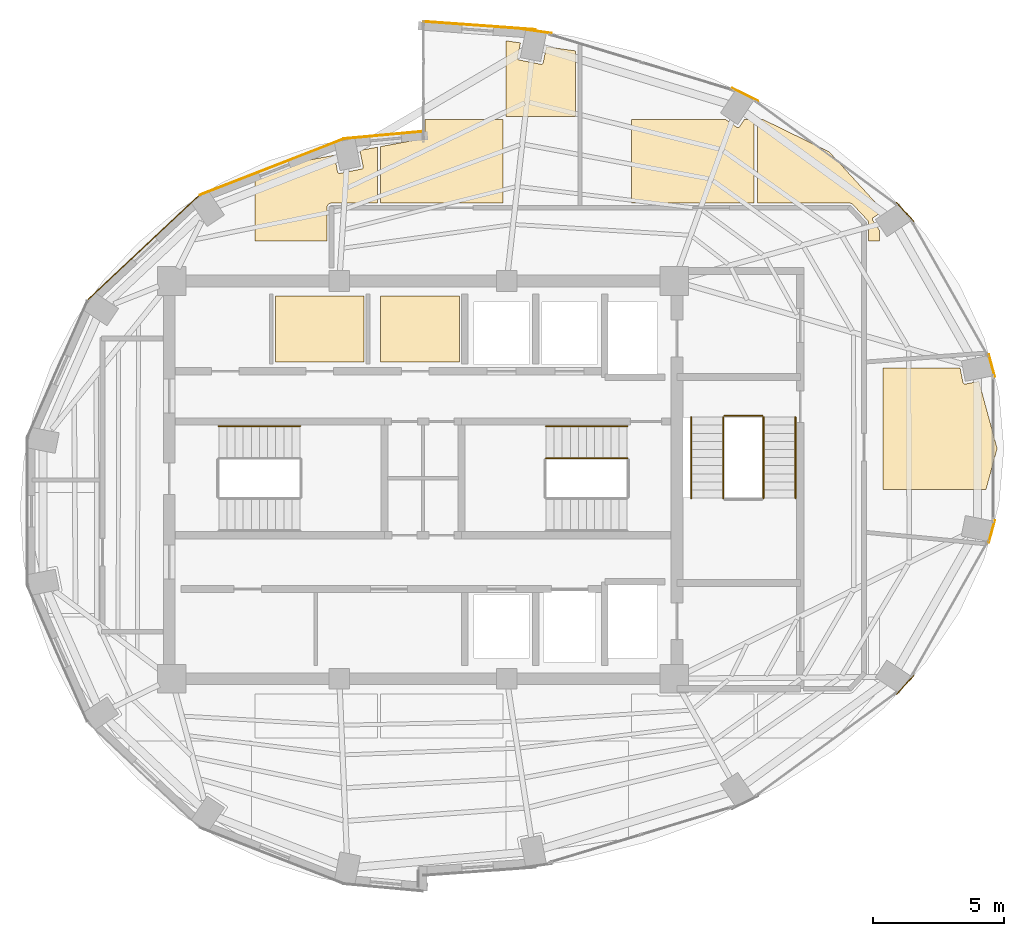
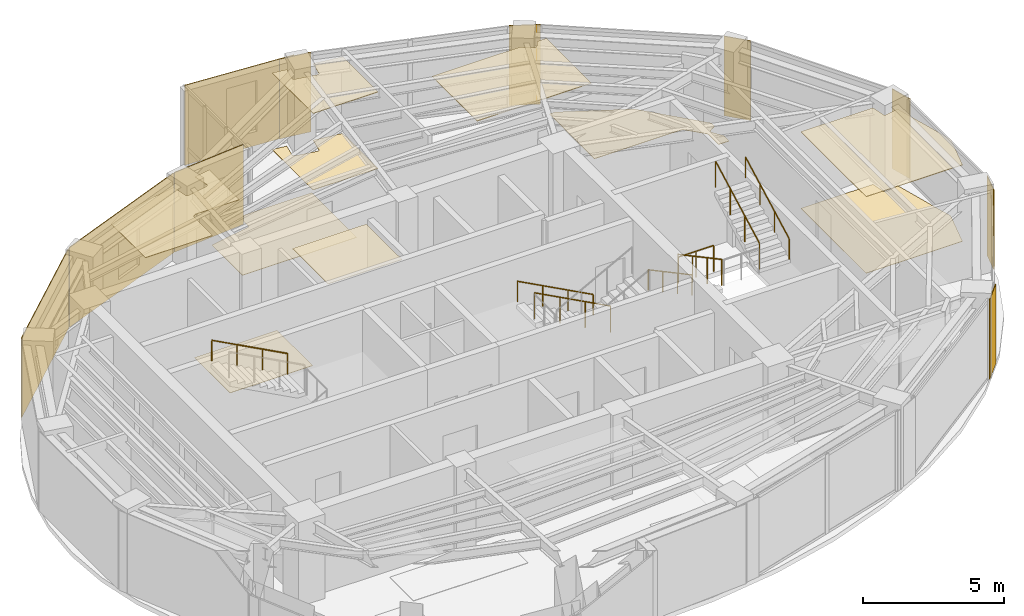
# One storey, part 15 of 15: 20 coverings, 8 railings.
"""IFC4 building model written with IfcOpenShell, lengths in metres."""

from ifc_helpers import new_model, si_unit, direction, frame, origin, origin_2d, place, context, subcontext, project, spatial, polyline, rectangle, circle, outline, extrude, material, layer, layer_set, type_object, element, save


model = new_model("IFC4")

# Units and contexts
model_context = context("Model", 3, precision=1e-05, world=origin(), true_north=direction((0.0, 1.0)))
body_context = subcontext(model_context, "Body", "Model", "MODEL_VIEW")
ifc_project = project(units=[si_unit("LENGTHUNIT", "METRE"), si_unit("AREAUNIT", "SQUARE_METRE"), si_unit("VOLUMEUNIT", "CUBIC_METRE"), si_unit("PLANEANGLEUNIT", "RADIAN"), si_unit("MASSUNIT", "GRAM", prefix="KILO")], contexts=[model_context])

# Site, building, storey
site_placement = place(None, origin())
site = spatial("IfcSite", under=ifc_project, at=site_placement, CompositionType="ELEMENT")
building_placement = place(site_placement, origin())
building = spatial("IfcBuilding", under=site, at=building_placement, Name="Lazwardi Medical Tower", CompositionType="ELEMENT")
storey_placement = place(building_placement, frame((0.0, 0.0, 284.2080078125)))
storey = spatial("IfcBuildingStorey", under=building, at=storey_placement, Name="L74", CompositionType="ELEMENT", Elevation=284.2080078125)

# Coverings
ifc_material_1 = material(Name="Anodised bronze aluminium cassette cladding", Category="aluminium")
ifc_layer_1 = layer(ifc_material_1, 0.030029296875)
ifc_layer_set_1 = layer_set([ifc_layer_1], Name="Anodised bronze aluminium cassette cladding")
covering_type_1 = type_object("IfcCoveringType", Name="COV-CLD-BRZ", PredefinedType="CLADDING", material=ifc_layer_set_1)
covering_1_placement = place(storey_placement, frame((54.42529296875, 20.165283203125, 0.0), z_axis=(0.0, 0.0, 1.0), x_axis=(0.673240970654, 0.739423150458, 0.0)))
element("IfcCovering", 1, at=covering_1_placement, inside=storey, type_object=covering_type_1, Name="L74 Mega-column bronze cassette cover M03", PredefinedType="CLADDING", context=body_context, shape_type="SweptSolid", body=[
    extrude(rectangle(XDim=0.98974609375, YDim=0.030029296875, at=origin_2d()), origin(), (0.0, 0.0, 1.0), 3.447998046875),
])
for number, where, z_axis, x_axis, name in (
    (2, (57.734130859375, 26.02734375, 0.0), (0.0, 0.0, 1.0), (0.261641748247, 0.96516506131, 0.0), "L74 Mega-column bronze cassette cover M04"),
    (3, (57.734130859375, 32.37255859375, 0.0), (0.0, 0.0, 1.0), (-0.261641748247, 0.96516506131, 0.0), "L74 Mega-column bronze cassette cover M05"),
):
    element("IfcCovering", number, at=place(storey_placement, frame(where, z_axis=z_axis, x_axis=x_axis)), inside=storey, type_object=covering_type_1, Name=name, PredefinedType="CLADDING", context=body_context, shape_type="SweptSolid", body=[
        extrude(rectangle(XDim=0.894287109375, YDim=0.030029296875, at=origin_2d()), origin(), (0.0, 0.0, 1.0), 3.447998046875),
    ])
covering_2_placement = place(storey_placement, frame((54.42529296875, 38.234619140625, 0.0), z_axis=(0.0, 0.0, 1.0), x_axis=(-0.673240970654, 0.739423150458, 0.0)))
element("IfcCovering", 4, at=covering_2_placement, inside=storey, type_object=covering_type_1, Name="L74 Mega-column bronze cassette cover M06", PredefinedType="CLADDING", context=body_context, shape_type="SweptSolid", body=[
    extrude(rectangle(XDim=0.98974609375, YDim=0.030029296875, at=origin_2d()), origin(), (0.0, 0.0, 1.0), 3.447998046875),
])
covering_3_placement = place(storey_placement, frame((48.311279296875, 42.721435546875, 0.0), z_axis=(0.0, 0.0, 1.0), x_axis=(-0.897840141691, 0.440321564278, 0.0)))
element("IfcCovering", 5, at=covering_3_placement, inside=storey, type_object=covering_type_1, Name="L74 Mega-column bronze cassette cover M07", PredefinedType="CLADDING", context=body_context, shape_type="SweptSolid", body=[
    extrude(rectangle(XDim=1.110595703125, YDim=0.030029296875, at=origin_2d()), origin(), (0.0, 0.0, 1.0), 3.447998046875),
])
covering_4_placement = place(storey_placement, frame((40.3232421875, 45.1494140625, 0.0), z_axis=(0.0, 0.0, 1.0), x_axis=(-0.989512431533, 0.144447733943, 0.0)))
element("IfcCovering", 6, at=covering_4_placement, inside=storey, type_object=covering_type_1, Name="L74 Mega-column bronze cassette cover M08", PredefinedType="CLADDING", context=body_context, shape_type="SweptSolid", body=[
    extrude(rectangle(XDim=1.188720703125, YDim=0.030029296875, at=origin_2d()), origin(), (0.0, 0.0, 1.0), 3.447998046875),
])
covering_5_placement = place(storey_placement, frame((25.31201171875, 36.870361328125, 0.0), z_axis=(0.0, 0.0, 1.0), x_axis=(-0.728254960063, -0.685306291481, 0.0)))
element("IfcCovering", 7, at=covering_5_placement, inside=storey, type_object=covering_type_1, Name="L74 West drum ceramic/bronze cladding", PredefinedType="CLADDING", context=body_context, shape_type="SweptSolid", body=[
    extrude(rectangle(XDim=5.78125, YDim=0.030029296875, at=origin_2d()), origin(), (0.0, 0.0, 1.0), 3.447998046875),
])
ifc_material_2 = material(Name="Turquoise glazed ceramic tilework cladding", Category="masonry")
ifc_layer_2 = layer(ifc_material_2, 0.034912109375)
ifc_layer_set_2 = layer_set([ifc_layer_2], Name="Turquoise glazed ceramic tilework cladding")
covering_type_2 = type_object("IfcCoveringType", Name="COV-CLD-TRQ", PredefinedType="CLADDING", material=ifc_layer_set_2)
covering_6_placement = place(storey_placement, frame((30.216064453125, 39.956787109375, 0.0), z_axis=(0.0, 0.0, 1.0), x_axis=(-0.931720388261, -0.363176428337, 0.0)))
element("IfcCovering", 8, at=covering_6_placement, inside=storey, type_object=covering_type_2, Name="L74 West drum ceramic/bronze cladding", PredefinedType="CLADDING", context=body_context, shape_type="SweptSolid", body=[
    extrude(rectangle(XDim=5.904052734375, YDim=0.034912109375, at=origin_2d()), origin(), (0.0, 0.0, 1.0), 3.447998046875),
])
covering_7_placement = place(storey_placement, frame((38.16259765625, 45.360107421875, 0.0), z_axis=(0.0, 0.0, 1.0), x_axis=(-0.997409491337, 0.071932653157, 0.0)))
element("IfcCovering", 9, at=covering_7_placement, inside=storey, type_object=covering_type_2, Name="L74 Turquoise glazed ceramic tilework cladding", PredefinedType="CLADDING", context=body_context, shape_type="SweptSolid", body=[
    extrude(rectangle(XDim=4.31103515625, YDim=0.034912109375, at=origin_2d()), origin(), (0.0, 0.0, 1.0), 3.447998046875),
])
covering_8_placement = place(storey_placement, frame((34.4970703125, 41.177001953125, 0.0), z_axis=(0.0, 0.0, 1.0), x_axis=(-0.995733560537, -0.092275004312, 0.0)))
element("IfcCovering", 10, at=covering_8_placement, inside=storey, type_object=covering_type_2, Name="L74 Turquoise glazed ceramic tilework cladding", PredefinedType="CLADDING", context=body_context, shape_type="SweptSolid", body=[
    extrude(rectangle(XDim=2.985595703125, YDim=0.034912109375, at=origin_2d()), origin(), (0.0, 0.0, 1.0), 3.447998046875),
])
ifc_material_3 = material(Name="Acoustic mineral fibre tile")
ifc_layer_3 = layer(ifc_material_3, 0.02490234375)
ifc_layer_set_3 = layer_set([ifc_layer_3], Name="Acoustic mineral fibre tile")
covering_type_3 = type_object("IfcCoveringType", Name="COV-CLG-01", PredefinedType="CEILING", material=ifc_layer_set_3)
covering_9_placement = place(storey_placement, frame((0.0, 0.0, 3.302978515625)))
element("IfcCovering", 11, at=covering_9_placement, inside=storey, type_object=covering_type_3, Name="L74 Clinical Acoustic Ceiling 3", PredefinedType="CEILING", context=body_context, shape_type="SweptSolid", body=[
    extrude(outline(polyline([(34.251708984375, 40.71142578125), (33.591552734375, 40.587890625), (33.71435546875, 39.971435546875), (33.71533203125, 39.963623046875), (33.7158203125, 39.955810546875), (33.71533203125, 39.947998046875), (33.71435546875, 39.940185546875), (33.71240234375, 39.9326171875), (33.709716796875, 39.92529296875), (33.706298828125, 39.918212890625), (33.702392578125, 39.911376953125), (33.697509765625, 39.905029296875), (33.6923828125, 39.899169921875), (33.6865234375, 39.89404296875), (33.68017578125, 39.889404296875), (33.673583984375, 39.88525390625), (33.66650390625, 39.8818359375), (33.658935546875, 39.879150390625), (33.6513671875, 39.877197265625), (32.82763671875, 39.71337890625), (32.81982421875, 39.71240234375), (32.81201171875, 39.7119140625), (32.80419921875, 39.71240234375), (32.79638671875, 39.71337890625), (32.788818359375, 39.71533203125), (32.781494140625, 39.718017578125), (32.7744140625, 39.72119140625), (32.767578125, 39.725341796875), (32.76123046875, 39.72998046875), (32.75537109375, 39.7353515625), (32.750244140625, 39.7412109375), (32.74560546875, 39.74755859375), (32.741455078125, 39.754150390625), (32.738037109375, 39.76123046875), (32.7353515625, 39.768798828125), (32.7333984375, 39.7763671875), (32.608642578125, 40.40380859375), (30.205322265625, 39.9541015625), (29.57177734375, 39.555908203125), (29.57177734375, 37.136474609375), (32.324951171875, 37.136474609375), (32.324951171875, 38.39990234375), (32.3251953125, 38.404296875), (32.32568359375, 38.41357421875), (32.326416015625, 38.42041015625), (32.32763671875, 38.4296875), (32.3291015625, 38.43798828125), (32.33154296875, 38.447265625), (32.33349609375, 38.4541015625), (32.336669921875, 38.462890625), (32.340087890625, 38.470703125), (32.343994140625, 38.479248046875), (32.34765625, 38.486083984375), (32.352294921875, 38.493896484375), (32.35693359375, 38.500732421875), (32.362548828125, 38.50830078125), (32.3671875, 38.513916015625), (32.373291015625, 38.520751953125), (32.37939453125, 38.526611328125), (32.38623046875, 38.532958984375), (32.391845703125, 38.53759765625), (32.3994140625, 38.543212890625), (32.406005859375, 38.547607421875), (32.4140625, 38.552490234375), (32.4208984375, 38.555908203125), (32.42919921875, 38.56005859375), (32.43701171875, 38.563232421875), (32.44580078125, 38.56640625), (32.452880859375, 38.568603515625), (32.4619140625, 38.57080078125), (32.47021484375, 38.572509765625), (32.4794921875, 38.57373046875), (32.486328125, 38.574462890625), (32.49560546875, 38.574951171875), (32.5, 38.574951171875), (34.251708984375, 38.574951171875), (34.251708984375, 40.71142578125)])), origin(), (0.0, 0.0, 1.0), 0.02490234375),
])
covering_10_placement = place(storey_placement, frame((0.0, 0.0, 3.302978515625)))
element("IfcCovering", 12, at=covering_10_placement, inside=storey, type_object=covering_type_3, Name="L74 Clinical Acoustic Ceiling 5", PredefinedType="CEILING", context=body_context, shape_type="SweptSolid", body=[
    extrude(outline(polyline([(34.371826171875, 32.5), (37.389892578125, 32.5), (37.389892578125, 35.02001953125), (34.371826171875, 35.02001953125), (34.371826171875, 32.5)])), origin(), (0.0, 0.0, 1.0), 0.02490234375),
])
covering_11_placement = place(storey_placement, frame((0.0, 0.0, 3.302978515625)))
element("IfcCovering", 13, at=covering_11_placement, inside=storey, type_object=covering_type_3, Name="L74 Clinical Acoustic Ceiling 7", PredefinedType="CEILING", context=body_context, shape_type="SweptSolid", body=[
    extrude(outline(polyline([(41.8349609375, 41.886474609375), (41.8349609375, 44.389404296875), (40.714599609375, 44.552490234375), (40.59326171875, 43.941650390625), (40.59130859375, 43.93408203125), (40.588623046875, 43.9267578125), (40.585205078125, 43.919677734375), (40.581298828125, 43.912841796875), (40.576416015625, 43.906494140625), (40.5712890625, 43.900634765625), (40.5654296875, 43.8955078125), (40.55908203125, 43.890869140625), (40.552490234375, 43.88671875), (40.54541015625, 43.88330078125), (40.537841796875, 43.880615234375), (40.5302734375, 43.87890625), (40.5224609375, 43.877685546875), (40.5146484375, 43.877197265625), (40.5068359375, 43.877685546875), (40.4990234375, 43.87890625), (39.67529296875, 44.042724609375), (39.667724609375, 44.044677734375), (39.660400390625, 44.04736328125), (39.6533203125, 44.050537109375), (39.646484375, 44.0546875), (39.64013671875, 44.059326171875), (39.63427734375, 44.064697265625), (39.629150390625, 44.0703125), (39.62451171875, 44.076904296875), (39.620361328125, 44.08349609375), (39.616943359375, 44.090576171875), (39.6142578125, 44.097900390625), (39.6123046875, 44.105712890625), (39.611328125, 44.11328125), (39.61083984375, 44.12109375), (39.611328125, 44.12890625), (39.6123046875, 44.13671875), (39.723876953125, 44.697021484375), (39.171875, 44.77734375), (39.171875, 41.886474609375), (41.8349609375, 41.886474609375)])), origin(), (0.0, 0.0, 1.0), 0.02490234375),
])
covering_12_placement = place(storey_placement, frame((0.0, 0.0, 3.302978515625)))
element("IfcCovering", 14, at=covering_12_placement, inside=storey, type_object=covering_type_3, Name="L74 Clinical Acoustic Ceiling 8", PredefinedType="CEILING", context=body_context, shape_type="SweptSolid", body=[
    extrude(outline(polyline([(48.275634765625, 41.766357421875), (48.099365234375, 41.50244140625), (48.094482421875, 41.49609375), (48.08935546875, 41.490234375), (48.08349609375, 41.485107421875), (48.0771484375, 41.480224609375), (48.070556640625, 41.476318359375), (48.0634765625, 41.472900390625), (48.055908203125, 41.47021484375), (48.04833984375, 41.46826171875), (48.04052734375, 41.46728515625), (48.03271484375, 41.466796875), (48.02490234375, 41.46728515625), (48.01708984375, 41.46826171875), (48.009521484375, 41.47021484375), (48.002197265625, 41.472900390625), (47.9951171875, 41.476318359375), (47.98828125, 41.480224609375), (47.560302734375, 41.766357421875), (43.9716796875, 41.766357421875), (43.9716796875, 38.574951171875), (48.65185546875, 38.574951171875), (48.65185546875, 41.766357421875), (48.275634765625, 41.766357421875)])), origin(), (0.0, 0.0, 1.0), 0.02490234375),
])
covering_13_placement = place(storey_placement, frame((0.0, 0.0, 3.302978515625)))
element("IfcCovering", 15, at=covering_13_placement, inside=storey, type_object=covering_type_3, Name="L74 Clinical Acoustic Ceiling 10", PredefinedType="CEILING", context=body_context, shape_type="SweptSolid", body=[
    extrude(outline(polyline([(57.51220703125, 27.636474609375), (57.93701171875, 29.199951171875), (57.240478515625, 31.76416015625), (56.723388671875, 31.661376953125), (56.7158203125, 31.66015625), (56.7080078125, 31.659912109375), (56.7001953125, 31.66015625), (56.6923828125, 31.661376953125), (56.684814453125, 31.6630859375), (56.67724609375, 31.666015625), (56.670166015625, 31.669189453125), (56.66357421875, 31.67333984375), (56.656982421875, 31.677978515625), (56.6513671875, 31.68310546875), (56.64599609375, 31.68896484375), (56.641357421875, 31.6953125), (56.63720703125, 31.7021484375), (56.634033203125, 31.709228515625), (56.63134765625, 31.716552734375), (56.62939453125, 31.72412109375), (56.521484375, 32.266357421875), (53.57177734375, 32.266357421875), (53.57177734375, 27.636474609375), (57.51220703125, 27.636474609375)])), origin(), (0.0, 0.0, 1.0), 0.02490234375),
])
ifc_material_4 = material(Name="Anti-static hospital vinyl sheet flooring")
ifc_layer_4 = layer(ifc_material_4, 0.014892578125)
ifc_layer_set_4 = layer_set([ifc_layer_4], Name="Anti-static hospital vinyl sheet flooring")
covering_type_4 = type_object("IfcCoveringType", Name="COV-FLR-01", PredefinedType="FLOORING", material=ifc_layer_set_4)
covering_14_placement = place(storey_placement, origin())
element("IfcCovering", 16, at=covering_14_placement, inside=storey, type_object=covering_type_4, Name="L74 Clinical Vinyl Flooring 4", PredefinedType="FLOORING", context=body_context, shape_type="SweptSolid", body=[
    extrude(outline(polyline([(33.739990234375, 32.5), (33.739990234375, 35.02001953125), (30.360107421875, 35.02001953125), (30.360107421875, 32.5), (33.739990234375, 32.5)])), origin(), (0.0, 0.0, 1.0), 0.014892578125),
])
covering_15_placement = place(storey_placement, origin())
element("IfcCovering", 17, at=covering_15_placement, inside=storey, type_object=covering_type_4, Name="L74 Clinical Vinyl Flooring 5", PredefinedType="FLOORING", context=body_context, shape_type="SweptSolid", body=[
    extrude(outline(polyline([(36.080078125, 41.766357421875), (36.080078125, 41.1201171875), (36.07958984375, 41.112060546875), (36.078369140625, 41.104248046875), (36.076416015625, 41.0966796875), (36.07373046875, 41.089111328125), (36.0703125, 41.08203125), (36.06640625, 41.0751953125), (36.0615234375, 41.06884765625), (36.05615234375, 41.06298828125), (36.05029296875, 41.057861328125), (36.0439453125, 41.052978515625), (36.037109375, 41.049072265625), (36.02978515625, 41.0458984375), (36.0224609375, 41.043212890625), (36.0146484375, 41.04150390625), (34.371826171875, 40.73388671875), (34.371826171875, 38.574951171875), (39.0517578125, 38.574951171875), (39.0517578125, 41.766357421875), (36.080078125, 41.766357421875)])), origin(), (0.0, 0.0, 1.0), 0.014892578125),
])
covering_16_placement = place(storey_placement, origin())
element("IfcCovering", 18, at=covering_16_placement, inside=storey, type_object=covering_type_4, Name="L74 Clinical Vinyl Flooring 7", PredefinedType="FLOORING", context=body_context, shape_type="SweptSolid", body=[
    extrude(outline(polyline([(41.8349609375, 41.886474609375), (41.8349609375, 44.389404296875), (40.714599609375, 44.552490234375), (40.59326171875, 43.941650390625), (40.59130859375, 43.93408203125), (40.588623046875, 43.9267578125), (40.585205078125, 43.919677734375), (40.581298828125, 43.912841796875), (40.576416015625, 43.906494140625), (40.5712890625, 43.900634765625), (40.5654296875, 43.8955078125), (40.55908203125, 43.890869140625), (40.552490234375, 43.88671875), (40.54541015625, 43.88330078125), (40.537841796875, 43.880615234375), (40.5302734375, 43.87890625), (40.5224609375, 43.877685546875), (40.5146484375, 43.877197265625), (40.5068359375, 43.877685546875), (40.4990234375, 43.87890625), (39.67529296875, 44.042724609375), (39.667724609375, 44.044677734375), (39.660400390625, 44.04736328125), (39.6533203125, 44.050537109375), (39.646484375, 44.0546875), (39.64013671875, 44.059326171875), (39.63427734375, 44.064697265625), (39.629150390625, 44.0703125), (39.62451171875, 44.076904296875), (39.620361328125, 44.08349609375), (39.616943359375, 44.090576171875), (39.6142578125, 44.097900390625), (39.6123046875, 44.105712890625), (39.611328125, 44.11328125), (39.61083984375, 44.12109375), (39.611328125, 44.12890625), (39.6123046875, 44.13671875), (39.723876953125, 44.697021484375), (39.171875, 44.77734375), (39.171875, 41.886474609375), (41.8349609375, 41.886474609375)])), origin(), (0.0, 0.0, 1.0), 0.014892578125),
])
covering_17_placement = place(storey_placement, origin())
element("IfcCovering", 19, at=covering_17_placement, inside=storey, type_object=covering_type_4, Name="L74 Clinical Vinyl Flooring 9", PredefinedType="FLOORING", context=body_context, shape_type="SweptSolid", body=[
    extrude(outline(polyline([(53.451904296875, 37.5126953125), (53.185791015625, 37.91064453125), (53.181884765625, 37.917236328125), (53.178466796875, 37.92431640625), (53.17578125, 37.931884765625), (53.173828125, 37.939453125), (53.1728515625, 37.947265625), (53.17236328125, 37.955078125), (53.1728515625, 37.962890625), (53.173828125, 37.970703125), (53.17578125, 37.978271484375), (53.178466796875, 37.985595703125), (53.181884765625, 37.99267578125), (53.185791015625, 37.99951171875), (53.190673828125, 38.005859375), (53.19580078125, 38.01171875), (53.20166015625, 38.016845703125), (53.2080078125, 38.021484375), (53.451904296875, 38.184326171875), (53.451904296875, 38.418701171875), (51.521728515625, 40.533447265625), (49.0009765625, 41.766357421875), (48.771728515625, 41.766357421875), (48.771728515625, 38.574951171875), (52.299072265625, 38.574951171875), (52.30322265625, 38.574951171875), (52.31298828125, 38.574462890625), (52.3212890625, 38.573486328125), (52.330810546875, 38.572021484375), (52.339111328125, 38.5703125), (52.348388671875, 38.56787109375), (52.355712890625, 38.5654296875), (52.364990234375, 38.56201171875), (52.372314453125, 38.558837890625), (52.381103515625, 38.554443359375), (52.38818359375, 38.550537109375), (52.396484375, 38.54541015625), (52.403564453125, 38.540283203125), (52.4111328125, 38.534423828125), (52.417236328125, 38.529052734375), (52.42431640625, 38.522216796875), (52.427001953125, 38.519287109375), (52.977783203125, 37.929443359375), (52.980224609375, 37.9267578125), (52.986083984375, 37.919921875), (52.99072265625, 37.913818359375), (52.995849609375, 37.906494140625), (52.999755859375, 37.900390625), (53.004150390625, 37.892822265625), (53.007568359375, 37.885986328125), (53.01123046875, 37.877685546875), (53.013916015625, 37.87109375), (53.016845703125, 37.862548828125), (53.019287109375, 37.8544921875), (53.021240234375, 37.845703125), (53.0224609375, 37.839599609375), (53.023681640625, 37.830810546875), (53.0244140625, 37.822509765625), (53.02490234375, 37.813720703125), (53.02490234375, 37.81005859375), (53.02490234375, 37.136474609375), (53.451904296875, 37.136474609375), (53.451904296875, 37.5126953125)])), origin(), (0.0, 0.0, 1.0), 0.014892578125),
])
covering_18_placement = place(storey_placement, origin())
element("IfcCovering", 20, at=covering_18_placement, inside=storey, type_object=covering_type_4, Name="L74 Clinical Vinyl Flooring 10", PredefinedType="FLOORING", context=body_context, shape_type="SweptSolid", body=[
    extrude(outline(polyline([(57.51220703125, 27.636474609375), (57.93701171875, 29.199951171875), (57.240478515625, 31.76416015625), (56.723388671875, 31.661376953125), (56.7158203125, 31.66015625), (56.7080078125, 31.659912109375), (56.7001953125, 31.66015625), (56.6923828125, 31.661376953125), (56.684814453125, 31.6630859375), (56.67724609375, 31.666015625), (56.670166015625, 31.669189453125), (56.66357421875, 31.67333984375), (56.656982421875, 31.677978515625), (56.6513671875, 31.68310546875), (56.64599609375, 31.68896484375), (56.641357421875, 31.6953125), (56.63720703125, 31.7021484375), (56.634033203125, 31.709228515625), (56.63134765625, 31.716552734375), (56.62939453125, 31.72412109375), (56.521484375, 32.266357421875), (53.57177734375, 32.266357421875), (53.57177734375, 27.636474609375), (57.51220703125, 27.636474609375)])), origin(), (0.0, 0.0, 1.0), 0.014892578125),
])

# Railings
ifc_material_5 = material(Name="Stainless steel Grade 316", Category="steel")
railing_type_1 = type_object("IfcRailingType", Name="RLG-GRD-1150", PredefinedType="GUARDRAIL", material=ifc_material_5)
railing_1_placement = place(storey_placement, frame((43.800048828125, 28.830078125, 0.165771484375)))
element("IfcRailing", 21, at=railing_1_placement, inside=storey, type_object=railing_type_1, Name="L74 ST2 stair guard 1", PredefinedType="GUARDRAIL", context=body_context, shape_type="SweptSolid", body=[
    extrude(circle(Radius=0.02392578125, at=origin_2d()), frame((0.0, 0.0, 1.1259765625), z_axis=(-0.881783298633, 0.0, 0.471654761719), x_axis=(0.0, -1.0, 0.0)), (0.0, 0.0, 1.0), 3.515625),
    extrude(circle(Radius=0.02099609375, at=origin_2d()), origin(), (0.0, 0.0, 1.0), 1.099853515625),
    extrude(circle(Radius=0.02099609375, at=origin_2d()), frame((-1.033447265625, 0.0, 0.552734375)), (0.0, 0.0, 1.0), 1.099853515625),
    extrude(circle(Radius=0.02099609375, at=origin_2d()), frame((-2.066650390625, 0.0, 1.10546875)), (0.0, 0.0, 1.0), 1.099853515625),
    extrude(circle(Radius=0.02099609375, at=origin_2d()), frame((-3.10009765625, 0.0, 1.658203125)), (0.0, 0.0, 1.0), 1.099853515625),
])
railing_2_placement = place(storey_placement, frame((47.469970703125, 30.39990234375, 0.165771484375)))
element("IfcRailing", 22, at=railing_2_placement, inside=storey, type_object=railing_type_1, Name="L74 ST3 stair guard 1", PredefinedType="GUARDRAIL", context=body_context, shape_type="SweptSolid", body=[
    extrude(circle(Radius=0.02392578125, at=origin_2d()), frame((0.0, 0.0, 1.1259765625), z_axis=(0.0, -0.881767849116, 0.471683644262), x_axis=(1.0, 0.0, 0.0)), (0.0, 0.0, 1.0), 3.515380859375),
    extrude(circle(Radius=0.02099609375, at=origin_2d()), origin(), (0.0, 0.0, 1.0), 1.099853515625),
    extrude(circle(Radius=0.02099609375, at=origin_2d()), frame((0.0, -1.033203125, 0.552734375)), (0.0, 0.0, 1.0), 1.099853515625),
    extrude(circle(Radius=0.02099609375, at=origin_2d()), frame((0.0, -2.066650390625, 1.10546875)), (0.0, 0.0, 1.0), 1.099853515625),
    extrude(circle(Radius=0.02099609375, at=origin_2d()), frame((0.0, -3.099853515625, 1.658203125)), (0.0, 0.0, 1.0), 1.099853515625),
])
railing_3_placement = place(storey_placement, frame((49.010009765625, 27.300048828125, 1.98974609375)))
element("IfcRailing", 23, at=railing_3_placement, inside=storey, type_object=railing_type_1, Name="L74 ST3 stair guard 3", PredefinedType="GUARDRAIL", context=body_context, shape_type="SweptSolid", body=[
    extrude(circle(Radius=0.02392578125, at=origin_2d()), frame((0.0, 0.0, 1.1259765625), z_axis=(0.0, 0.881767849116, 0.471683644262), x_axis=(-1.0, 0.0, 0.0)), (0.0, 0.0, 1.0), 3.515380859375),
    extrude(circle(Radius=0.02099609375, at=origin_2d()), origin(), (0.0, 0.0, 1.0), 1.099853515625),
    extrude(circle(Radius=0.02099609375, at=origin_2d()), frame((0.0, 1.033203125, 0.552734375)), (0.0, 0.0, 1.0), 1.099853515625),
    extrude(circle(Radius=0.02099609375, at=origin_2d()), frame((0.0, 2.066650390625, 1.10546875)), (0.0, 0.0, 1.0), 1.099853515625),
    extrude(circle(Radius=0.02099609375, at=origin_2d()), frame((0.0, 3.099853515625, 1.658203125)), (0.0, 0.0, 1.0), 1.099853515625),
])
railing_4_placement = place(storey_placement, frame((47.52001953125, 30.449951171875, 0.0)))
element("IfcRailing", 24, at=railing_4_placement, inside=storey, type_object=railing_type_1, Name="L74 ST3 stair guard 4", PredefinedType="GUARDRAIL", context=body_context, shape_type="SweptSolid", body=[
    extrude(circle(Radius=0.02392578125, at=origin_2d()), frame((0.0, 0.0, 1.1259765625), z_axis=(1.0, 0.0, 0.0), x_axis=(0.0, 1.0, 0.0)), (0.0, 0.0, 1.0), 1.43994140625),
    extrude(circle(Radius=0.02099609375, at=origin_2d()), origin(), (0.0, 0.0, 1.0), 1.099853515625),
    extrude(circle(Radius=0.02099609375, at=origin_2d()), frame((0.719970703125, 0.0, 0.0)), (0.0, 0.0, 1.0), 1.099853515625),
    extrude(circle(Radius=0.02099609375, at=origin_2d()), frame((1.43994140625, 0.0, 0.0)), (0.0, 0.0, 1.0), 1.099853515625),
])
railing_type_2 = type_object("IfcRailingType", Name="RLG-HND-920", PredefinedType="HANDRAIL", material=ifc_material_5)
for number, where, name in (
    (25, (31.300048828125, 30.050048828125, 1.98974609375), "L74 ST1 stair handrail 2"),
    (26, (43.800048828125, 30.050048828125, 0.165771484375), "L74 ST2 stair handrail 1"),
):
    element("IfcRailing", number, at=place(storey_placement, frame(where)), inside=storey, type_object=railing_type_2, Name=name, PredefinedType="HANDRAIL", context=body_context, shape_type="SweptSolid", body=[
        extrude(circle(Radius=0.02392578125, at=origin_2d()), frame((0.0, 0.0, 0.8857421875), z_axis=(-0.881783298633, 0.0, 0.471654761719), x_axis=(0.0, -1.0, 0.0)), (0.0, 0.0, 1.0), 3.515625),
        extrude(circle(Radius=0.02099609375, at=origin_2d()), origin(), (0.0, 0.0, 1.0), 0.85986328125),
        extrude(circle(Radius=0.02099609375, at=origin_2d()), frame((-1.033447265625, 0.0, 0.552734375)), (0.0, 0.0, 1.0), 0.85986328125),
        extrude(circle(Radius=0.02099609375, at=origin_2d()), frame((-2.066650390625, 0.0, 1.10546875)), (0.0, 0.0, 1.0), 0.85986328125),
        extrude(circle(Radius=0.02099609375, at=origin_2d()), frame((-3.10009765625, 0.0, 1.658203125)), (0.0, 0.0, 1.0), 0.85986328125),
    ])
railing_5_placement = place(storey_placement, frame((46.25, 30.39990234375, 0.165771484375)))
element("IfcRailing", 27, at=railing_5_placement, inside=storey, type_object=railing_type_2, Name="L74 ST3 stair handrail 1", PredefinedType="HANDRAIL", context=body_context, shape_type="SweptSolid", body=[
    extrude(circle(Radius=0.02392578125, at=origin_2d()), frame((0.0, 0.0, 0.8857421875), z_axis=(0.0, -0.881767849116, 0.471683644262), x_axis=(1.0, 0.0, 0.0)), (0.0, 0.0, 1.0), 3.515380859375),
    extrude(circle(Radius=0.02099609375, at=origin_2d()), origin(), (0.0, 0.0, 1.0), 0.85986328125),
    extrude(circle(Radius=0.02099609375, at=origin_2d()), frame((0.0, -1.033203125, 0.552734375)), (0.0, 0.0, 1.0), 0.85986328125),
    extrude(circle(Radius=0.02099609375, at=origin_2d()), frame((0.0, -2.066650390625, 1.10546875)), (0.0, 0.0, 1.0), 0.85986328125),
    extrude(circle(Radius=0.02099609375, at=origin_2d()), frame((0.0, -3.099853515625, 1.658203125)), (0.0, 0.0, 1.0), 0.85986328125),
])
railing_6_placement = place(storey_placement, frame((50.22998046875, 27.300048828125, 1.98974609375)))
element("IfcRailing", 28, at=railing_6_placement, inside=storey, type_object=railing_type_2, Name="L74 ST3 stair handrail 2", PredefinedType="HANDRAIL", context=body_context, shape_type="SweptSolid", body=[
    extrude(circle(Radius=0.02392578125, at=origin_2d()), frame((0.0, 0.0, 0.8857421875), z_axis=(0.0, 0.881767849116, 0.471683644262), x_axis=(-1.0, 0.0, 0.0)), (0.0, 0.0, 1.0), 3.515380859375),
    extrude(circle(Radius=0.02099609375, at=origin_2d()), origin(), (0.0, 0.0, 1.0), 0.85986328125),
    extrude(circle(Radius=0.02099609375, at=origin_2d()), frame((0.0, 1.033203125, 0.552734375)), (0.0, 0.0, 1.0), 0.85986328125),
    extrude(circle(Radius=0.02099609375, at=origin_2d()), frame((0.0, 2.066650390625, 1.10546875)), (0.0, 0.0, 1.0), 0.85986328125),
    extrude(circle(Radius=0.02099609375, at=origin_2d()), frame((0.0, 3.099853515625, 1.658203125)), (0.0, 0.0, 1.0), 0.85986328125),
])

save(model, "model.ifc")
